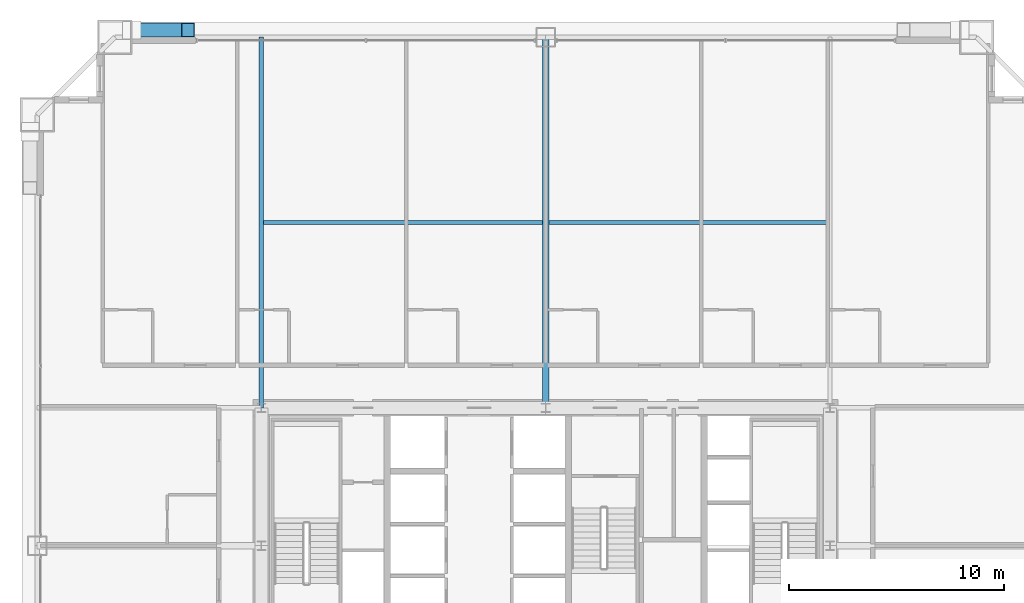
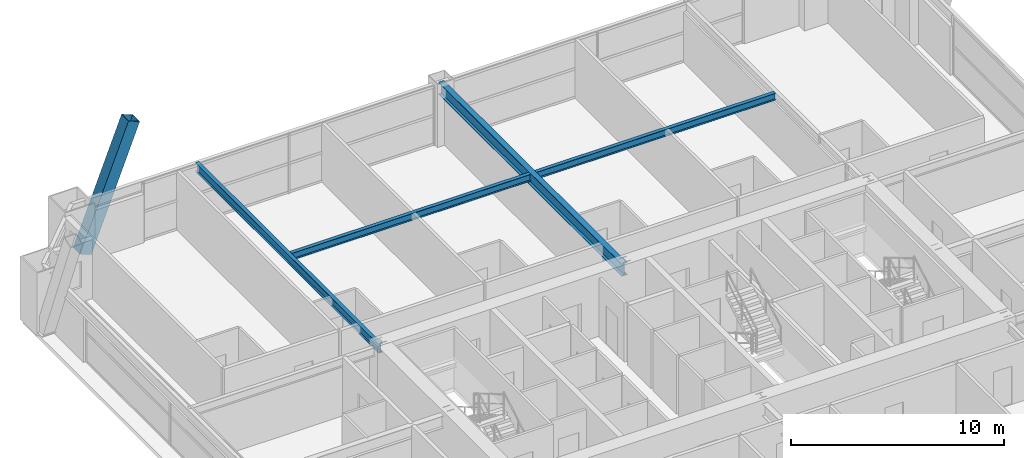
# One storey, part 26 of 43: 4 beams, 1 member.
"""IFC4 building model written with IfcOpenShell, lengths in metres."""

from ifc_helpers import new_model, si_unit, direction, frame, origin, origin_2d, place, context, subcontext, project, spatial, hollow_rectangle, i_section, extrude, source, transform, mapped, material, material_profile, profile_set, type_object, element, save


model = new_model("IFC4")

# Units and contexts
model_context = context("Model", 3, precision=1e-05, world=origin(), true_north=direction((0.0, 1.0)))
body_context = subcontext(model_context, "Body", "Model", "MODEL_VIEW")
ifc_project = project(units=[si_unit("LENGTHUNIT", "METRE"), si_unit("AREAUNIT", "SQUARE_METRE"), si_unit("VOLUMEUNIT", "CUBIC_METRE"), si_unit("PLANEANGLEUNIT", "RADIAN"), si_unit("MASSUNIT", "GRAM", prefix="KILO"), si_unit("THERMODYNAMICTEMPERATUREUNIT", "KELVIN"), si_unit("POWERUNIT", "WATT")], contexts=[model_context])

# Site, building, storey
site_placement = place(None, origin())
site = spatial("IfcSite", under=ifc_project, at=site_placement, CompositionType="ELEMENT")
building_placement = place(site_placement, origin())
building = spatial("IfcBuilding", under=site, at=building_placement, Name="Yuzanri Waterfront Tower", CompositionType="ELEMENT")
storey_placement = place(building_placement, frame((0.0, 0.0, 159.60009765625)))
storey = spatial("IfcBuildingStorey", under=building, at=storey_placement, Name="L42", CompositionType="ELEMENT", Elevation=159.60009765625)

# Beams
ifc_material_1 = material(Name="Steel Q355B", Category="steel")
ifc_material_profile_1 = material_profile(ifc_material_1, i_section(OverallWidth=0.199951171875, OverallDepth=0.39990234375, WebThickness=0.008056640625, FlangeThickness=0.012939453125, at=origin_2d()), Name="HN 400x200x8x13")
ifc_profile_set_1 = profile_set([ifc_material_profile_1], Name="Steel Q355B")
beam_type_1 = type_object("IfcBeamType", Name="Floor Joist Q355B HN 400x200", PredefinedType="JOIST", material=ifc_profile_set_1)
shared_shape_1 = source(origin(), body_context, "Body", "SweptSolid", [
    extrude(i_section(OverallWidth=0.199951171875, OverallDepth=0.39990234375, WebThickness=0.008056640625, FlangeThickness=0.012939453125, at=origin_2d()), origin(), (0.0, 0.0, 1.0), 12.9501953125),
])
for number, where, z_axis, x_axis, name in (
    (1, (23.89990234375, 40.800048828125, 3.179931640625), (1.0, 0.0, 0.0), (0.0, 1.0, 0.0), "L42 North Bay Joist W"),
    (2, (37.14990234375, 40.800048828125, 3.179931640625), (1.0, 0.0, 0.0), (0.0, 1.0, 0.0), "L42 North Bay Joist E"),
):
    element("IfcBeam", number, at=place(storey_placement, frame(where, z_axis=z_axis, x_axis=x_axis)), inside=storey, type_object=beam_type_1, Name=name, PredefinedType="JOIST", context=body_context, shape_type="MappedRepresentation", body=[
        mapped(shared_shape_1, transform((0.0, 0.0, 0.0), scale=1.0)),
    ])
ifc_material_2 = material(Name="Steel Q355B", Category="steel")
ifc_material_profile_2 = material_profile(ifc_material_2, i_section(OverallWidth=0.300048828125, OverallDepth=0.699951171875, WebThickness=0.012939453125, FlangeThickness=0.02392578125, at=origin_2d()), Name="HN 700x300x13x24")
ifc_profile_set_2 = profile_set([ifc_material_profile_2], Name="Steel Q355B")
beam_type_2 = type_object("IfcBeamType", Name="Primary Floor Girder Q355B HN 700x300", PredefinedType="BEAM", material=ifc_profile_set_2)
shared_shape_2 = source(origin(), body_context, "Body", "SweptSolid", [
    extrude(i_section(OverallWidth=0.300048828125, OverallDepth=0.699951171875, WebThickness=0.012939453125, FlangeThickness=0.02392578125, at=origin_2d()), origin(), (0.0, 0.0, 1.0), 17.199951171875),
])
beam_1_placement = place(storey_placement, frame((37.0, 32.199951171875, 3.02978515625), z_axis=(0.0, 1.0, 0.0), x_axis=(-1.0, 0.0, 0.0)))
element("IfcBeam", 3, at=beam_1_placement, inside=storey, type_object=beam_type_2, Name="L42 North Grid Girder", PredefinedType="BEAM", context=body_context, shape_type="MappedRepresentation", body=[
    mapped(shared_shape_2, transform((0.0, 0.0, 0.0), scale=1.0)),
])
ifc_material_3 = material(Name="Steel Q355B", Category="steel")
ifc_material_profile_3 = material_profile(ifc_material_3, i_section(OverallWidth=0.199951171875, OverallDepth=0.5, WebThickness=0.010009765625, FlangeThickness=0.01611328125, at=origin_2d()), Name="HN 500x200x10x16")
ifc_profile_set_3 = profile_set([ifc_material_profile_3], Name="Steel Q355B")
beam_type_3 = type_object("IfcBeamType", Name="Secondary Floor Beam Q355B HN 500x200", PredefinedType="BEAM", material=ifc_profile_set_3)
shared_shape_3 = source(origin(), body_context, "Body", "SweptSolid", [
    extrude(i_section(OverallWidth=0.199951171875, OverallDepth=0.5, WebThickness=0.010009765625, FlangeThickness=0.01611328125, at=origin_2d()), origin(), (0.0, 0.0, 1.0), 17.199951171875),
])
beam_2_placement = place(storey_placement, frame((23.800048828125, 32.199951171875, 3.1298828125), z_axis=(0.0, 1.0, 0.0), x_axis=(-1.0, 0.0, 0.0)))
element("IfcBeam", 4, at=beam_2_placement, inside=storey, type_object=beam_type_3, Name="L42 North-West Core Line Beam", PredefinedType="BEAM", context=body_context, shape_type="MappedRepresentation", body=[
    mapped(shared_shape_3, transform((0.0, 0.0, 0.0), scale=1.0)),
])

# Member
ifc_material_4 = material(Name="Steel Q420GJC", Category="steel")
ifc_material_profile_4 = material_profile(ifc_material_4, hollow_rectangle(XDim=0.64990234375, YDim=0.64990234375, WallThickness=0.028076171875, at=origin_2d()), Name="RHS 650x650x28")
ifc_profile_set_4 = profile_set([ifc_material_profile_4], Name="Steel Q420GJC")
member_type = type_object("IfcMemberType", Name="Mega Brace Lower Q420GJC RHS 650x650x28", PredefinedType="BRACE", material=ifc_profile_set_4)
shared_shape_4 = source(origin(), body_context, "Body", "SweptSolid", [
    extrude(hollow_rectangle(XDim=0.64990234375, YDim=0.64990234375, WallThickness=0.028076171875, at=origin_2d()), origin(), (0.0, 0.0, 1.0), 7.19384765625),
])
member_placement = place(storey_placement, frame((17.780029296875, 49.739990234375, 0.179931640625), z_axis=(0.36417668996, 0.0, 0.9313298763), x_axis=(0.0, 1.0, 0.0)))
element("IfcMember", 5, at=member_placement, inside=storey, type_object=member_type, Name="L42-L43 Perimeter Mega-Brace N-L", PredefinedType="BRACE", context=body_context, shape_type="MappedRepresentation", body=[
    mapped(shared_shape_4, transform((0.0, 0.0, 0.0), scale=1.0)),
])

save(model, "model.ifc")
